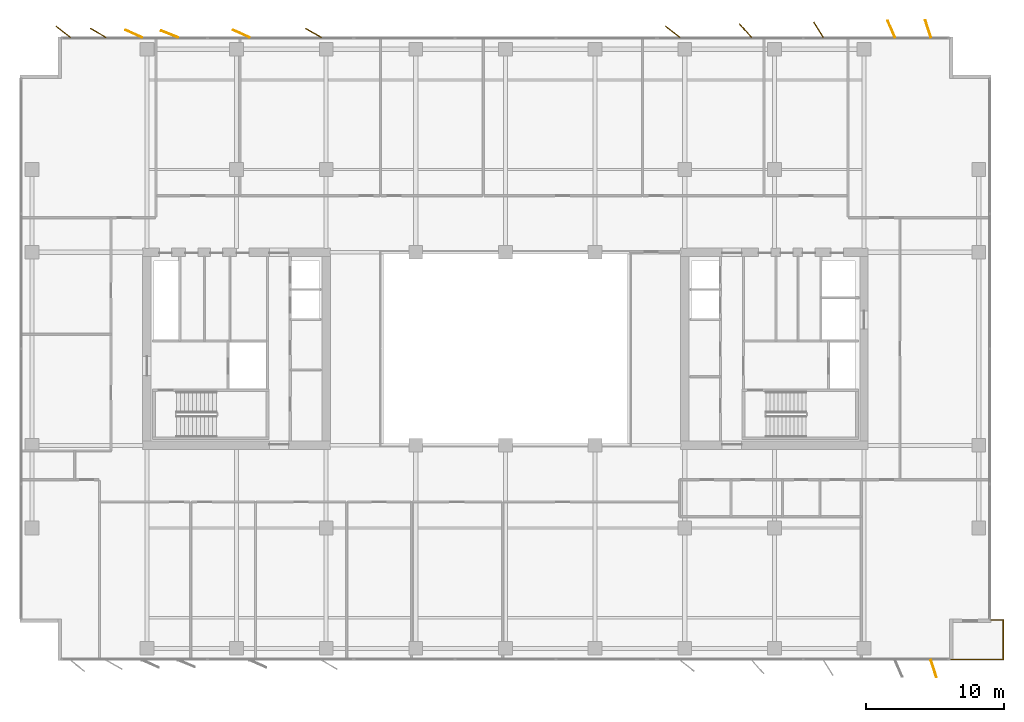
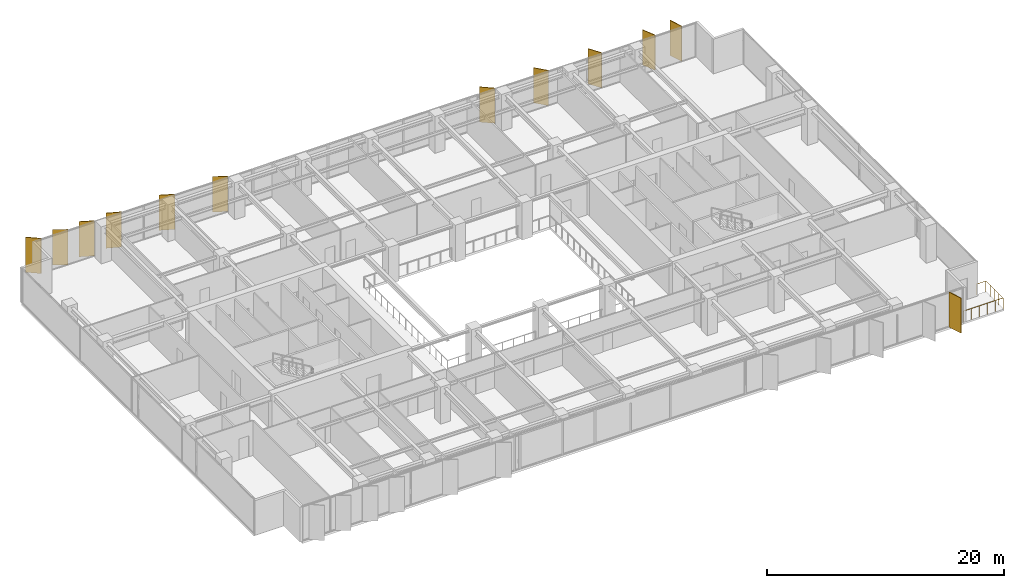
# One storey, part 22 of 22: 12 shading devices, 1 railing.
"""IFC4 building model written with IfcOpenShell, lengths in metres."""

from ifc_helpers import new_model, si_unit, direction, frame, origin, origin_2d, place, context, subcontext, project, spatial, rectangle, circle, extrude, material, layer, layer_set, type_object, element, save


model = new_model("IFC4")

# Units and contexts
model_context = context("Model", 3, precision=1e-05, world=origin(), true_north=direction((0.0, 1.0)))
body_context = subcontext(model_context, "Body", "Model", "MODEL_VIEW")
ifc_project = project(units=[si_unit("LENGTHUNIT", "METRE"), si_unit("AREAUNIT", "SQUARE_METRE"), si_unit("VOLUMEUNIT", "CUBIC_METRE"), si_unit("PLANEANGLEUNIT", "RADIAN"), si_unit("MASSUNIT", "GRAM", prefix="KILO")], contexts=[model_context])

# Site, building, storey
site_placement = place(None, origin())
site = spatial("IfcSite", under=ifc_project, at=site_placement, CompositionType="ELEMENT")
building_placement = place(site_placement, origin())
building = spatial("IfcBuilding", under=site, at=building_placement, Name="Putna Gate Headquarters", CompositionType="ELEMENT")
storey_placement = place(building_placement, frame((0.0, 0.0, 178.39990234375)))
storey = spatial("IfcBuildingStorey", under=building, at=storey_placement, Name="L44", CompositionType="ELEMENT", Elevation=178.39990234375)

# Railing
ifc_material_1 = material(Name="Anodised bronze steel and laminated glass guardrail", Category="steel")
railing_type = type_object("IfcRailingType", Name="RAIL-TERR-GUARD-1150", PredefinedType="GUARDRAIL", material=ifc_material_1)
railing_placement = place(storey_placement, frame((71.199951171875, 3.4599609375, 0.0)))
element("IfcRailing", 1, at=railing_placement, inside=storey, type_object=railing_type, Name="L44 Spiral Sky Terrace Guardrail SE", PredefinedType="GUARDRAIL", context=body_context, shape_type="SweptSolid", body=[
    extrude(circle(Radius=0.02392578125, at=origin_2d()), frame((0.0, 0.0, 1.1259765625), z_axis=(1.0, 0.0, 0.0), x_axis=(0.0, 1.0, 0.0)), (0.0, 0.0, 1.0), 3.89013671875),
    extrude(circle(Radius=0.02392578125, at=origin_2d()), frame((3.89013671875, 0.0, 1.1259765625), z_axis=(0.0, 1.0, 0.0), x_axis=(-1.0, 0.0, 0.0)), (0.0, 0.0, 1.0), 2.880126953125),
    extrude(circle(Radius=0.02392578125, at=origin_2d()), frame((3.89013671875, 2.880126953125, 1.1259765625), z_axis=(-1.0, 0.0, 0.0), x_axis=(0.0, -1.0, 0.0)), (0.0, 0.0, 1.0), 0.89013671875),
    extrude(circle(Radius=0.02099609375, at=origin_2d()), origin(), (0.0, 0.0, 1.0), 1.101806640625),
    extrude(circle(Radius=0.02099609375, at=origin_2d()), frame((0.778076171875, 0.0, 0.0)), (0.0, 0.0, 1.0), 1.101806640625),
    extrude(circle(Radius=0.02099609375, at=origin_2d()), frame((1.55615234375, 0.0, 0.0)), (0.0, 0.0, 1.0), 1.101806640625),
    extrude(circle(Radius=0.02099609375, at=origin_2d()), frame((2.333984375, 0.0, 0.0)), (0.0, 0.0, 1.0), 1.101806640625),
    extrude(circle(Radius=0.02099609375, at=origin_2d()), frame((3.112060546875, 0.0, 0.0)), (0.0, 0.0, 1.0), 1.101806640625),
    extrude(circle(Radius=0.02099609375, at=origin_2d()), frame((3.89013671875, 0.0, 0.0)), (0.0, 0.0, 1.0), 1.101806640625),
    extrude(circle(Radius=0.02099609375, at=origin_2d()), frame((3.89013671875, 0.719970703125, 0.0)), (0.0, 0.0, 1.0), 1.101806640625),
    extrude(circle(Radius=0.02099609375, at=origin_2d()), frame((3.89013671875, 1.43994140625, 0.0)), (0.0, 0.0, 1.0), 1.101806640625),
    extrude(circle(Radius=0.02099609375, at=origin_2d()), frame((3.89013671875, 2.16015625, 0.0)), (0.0, 0.0, 1.0), 1.101806640625),
    extrude(circle(Radius=0.02099609375, at=origin_2d()), frame((3.89013671875, 2.880126953125, 0.0)), (0.0, 0.0, 1.0), 1.101806640625),
    extrude(circle(Radius=0.02099609375, at=origin_2d()), frame((3.0, 2.880126953125, 0.0)), (0.0, 0.0, 1.0), 1.101806640625),
])

# Shading devices
ifc_material_2 = material(Name="Anodised architectural bronze aluminium fin", Category="aluminium")
ifc_layer = layer(ifc_material_2, 0.06494140625)
ifc_layer_set = layer_set([ifc_layer], Name="Anodised architectural bronze aluminium fin")
shading_device_type = type_object("IfcShadingDeviceType", Name="SHADE-BRONZE-FIN-1320", PredefinedType="USERDEFINED", material=ifc_layer_set)
for number, where, z_axis, x_axis, name in (
    (2, (6.930419921875, 48.981689453125, -0.02001953125), (0.0, 0.0, 1.0), (-0.787473187632, 0.616348909921, 0.0), "L44 Bronze Vertical Shading Fin N1"),
    (3, (9.476318359375, 48.901123046875, -0.02001953125), (0.0, 0.0, 1.0), (-0.869322458298, 0.494245347472, 0.0), "L44 Bronze Vertical Shading Fin N2"),
    (4, (12.047119140625, 48.84326171875, -0.02001953125), (0.0, 0.0, 1.0), (-0.913687379856, 0.40641773078, 0.0), "L44 Bronze Vertical Shading Fin N3"),
    (5, (14.63818359375, 48.822265625, -0.02001953125), (0.0, 0.0, 1.0), (-0.927183854567, 0.374606593416, 0.0), "L44 Bronze Vertical Shading Fin N4"),
    (6, (19.846923828125, 48.84326171875, -0.02001953125), (0.0, 0.0, 1.0), (-0.913687379856, 0.40641773078, 0.0), "L44 Bronze Vertical Shading Fin N5"),
    (7, (25.076171875, 48.901123046875, -0.02001953125), (0.0, 0.0, 1.0), (-0.869322458298, 0.494245347472, 0.0), "L44 Bronze Vertical Shading Fin N6"),
    (8, (51.13037109375, 48.981689453125, -0.02001953125), (0.0, 0.0, 1.0), (-0.787473187632, 0.616348909921, 0.0), "L44 Bronze Vertical Shading Fin N7"),
    (9, (56.408447265625, 49.0654296875, -0.02001953125), (0.0, 0.0, 1.0), (-0.669130606359, 0.743144825477, 0.0), "L44 Bronze Vertical Shading Fin N8"),
    (10, (61.69970703125, 49.134521484375, -0.02001953125), (0.0, 0.0, 1.0), (-0.530659123936, 0.847585331506, 0.0), "L44 Bronze Vertical Shading Fin N9"),
    (11, (66.985595703125, 49.1796875, -0.02001953125), (0.0, 0.0, 1.0), (-0.400668879095, 0.916222925562, 0.0), "L44 Bronze Vertical Shading Fin N10"),
    (12, (70.0537109375, 2.797119140625, -0.02001953125), (0.0, 0.0, 1.0), (0.308684994204, -0.951164325631, 0.0), "L44 Bronze Vertical Shading Fin S11"),
    (13, (69.646240234375, 49.202880859375, -0.02001953125), (0.0, 0.0, 1.0), (-0.308684994204, 0.951164325631, 0.0), "L44 Bronze Vertical Shading Fin N11"),
):
    element("IfcShadingDevice", number, at=place(storey_placement, frame(where, z_axis=z_axis, x_axis=x_axis)), inside=storey, type_object=shading_device_type, Name=name, ObjectType="FIN", PredefinedType="USERDEFINED", context=body_context, shape_type="SweptSolid", body=[
        extrude(rectangle(XDim=1.320068359375, YDim=0.06494140625, at=origin_2d()), origin(), (0.0, 0.0, 1.0), 3.612060546875),
    ])

save(model, "model.ifc")
